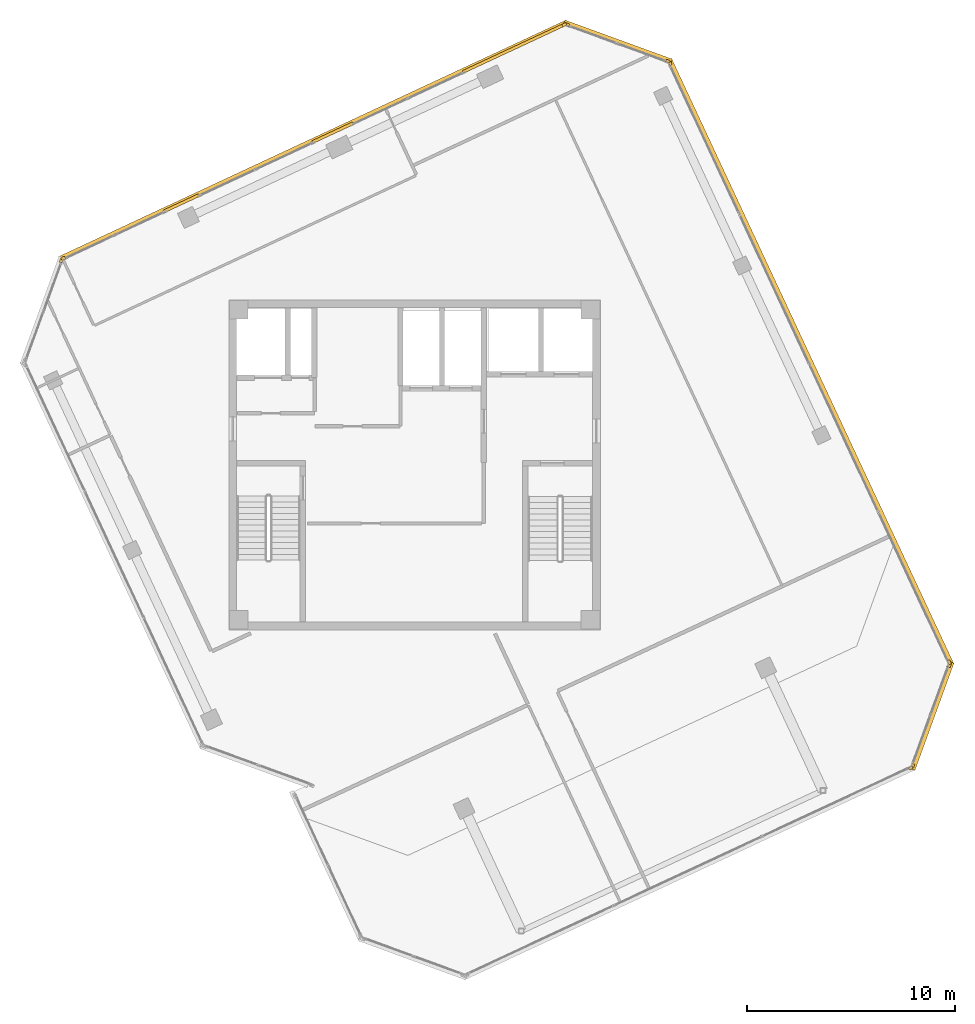
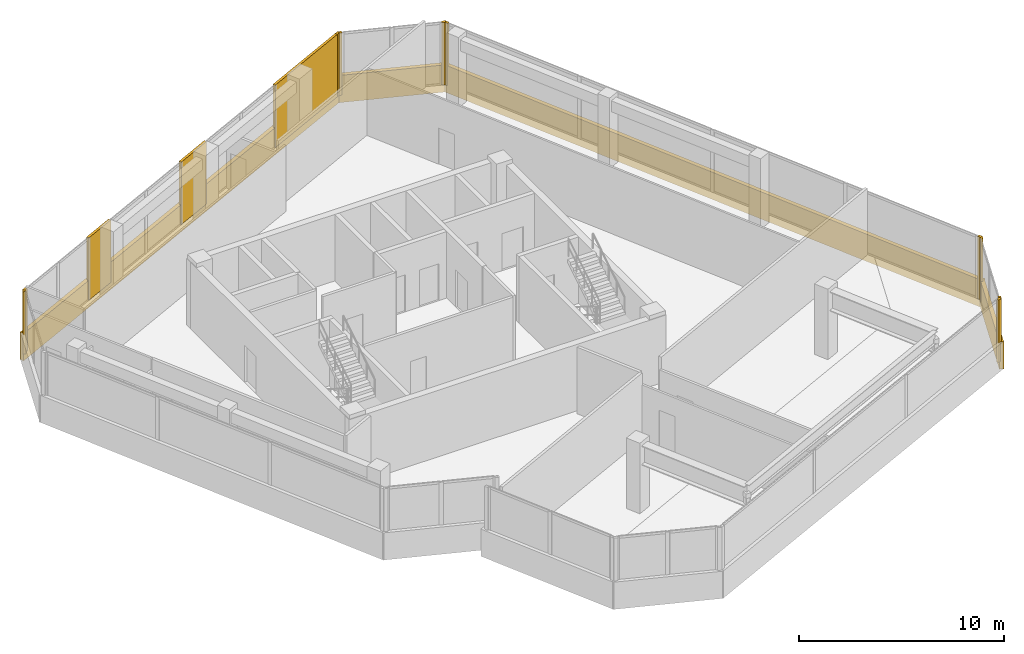
# One storey, part 17 of 17: 17 coverings.
"""IFC4 building model written with IfcOpenShell, lengths in metres."""

from ifc_helpers import new_model, si_unit, direction, frame, origin, origin_2d, place, context, subcontext, project, spatial, rectangle, extrude, source, transform, mapped, material, layer, layer_set, type_object, element, save


model = new_model("IFC4")

# Units and contexts
model_context = context("Model", 3, precision=1e-05, world=origin(), true_north=direction((0.0, 1.0)))
body_context = subcontext(model_context, "Body", "Model", "MODEL_VIEW")
ifc_project = project(units=[si_unit("LENGTHUNIT", "METRE"), si_unit("AREAUNIT", "SQUARE_METRE"), si_unit("VOLUMEUNIT", "CUBIC_METRE"), si_unit("PLANEANGLEUNIT", "RADIAN"), si_unit("MASSUNIT", "GRAM", prefix="KILO")], contexts=[model_context])

# Site, building, storey
site_placement = place(None, origin())
site = spatial("IfcSite", under=ifc_project, at=site_placement, CompositionType="ELEMENT")
building_placement = place(site_placement, origin())
building = spatial("IfcBuilding", under=site, at=building_placement, Name="Torre Montelarca", CompositionType="ELEMENT")
storey_placement = place(building_placement, frame((0.0, 0.0, 340.800048828125)))
storey = spatial("IfcBuildingStorey", under=building, at=storey_placement, Name="L77", CompositionType="ELEMENT", Elevation=340.800048828125)

# Coverings
ifc_material = material(Name="Bush-hammered warm white precast concrete C45/55", Category="concrete")
ifc_layer = layer(ifc_material, 0.139892578125, Name="Bush-hammered warm white precast concrete C45/55", Category="concrete")
ifc_layer_set = layer_set([ifc_layer], Name="Bush-hammered warm white precast concrete C45/55")
covering_type = type_object("IfcCoveringType", Name="COV-TRAY-CLAD", PredefinedType="CLADDING", material=ifc_layer_set)
shared_shape_1 = source(origin(), body_context, "Body", "SweptSolid", [
    extrude(rectangle(XDim=0.199951171875, YDim=0.139892578125, at=origin_2d()), origin(), (0.0, 0.0, 1.0), 3.719970703125),
])
for number, where, z_axis, x_axis, name in (
    (1, (41.8505859375, 17.4248046875, 0.0), (0.0, 0.0, 1.0), (0.906309262247, 0.422615098127, 0.0), "L77 Architectural Column Pier Cladding E06-2"),
    (2, (41.94873046875, 17.531982421875, 0.0), (0.0, 0.0, 1.0), (0.342010302869, 0.939696202361, 0.0), "L77 Architectural Column Pier Cladding E07-1"),
    (3, (43.70751953125, 22.364013671875, 0.0), (0.0, 0.0, 1.0), (0.342010302869, 0.939696202361, 0.0), "L77 Architectural Column Pier Cladding E07-2"),
    (4, (43.700927734375, 22.50927734375, 0.0), (0.0, 0.0, 1.0), (-0.422616679935, 0.906308524643, 0.0), "L77 Architectural Column Pier Cladding E08-1"),
    (5, (30.275146484375, 51.301025390625, 0.0), (0.0, 0.0, 1.0), (-0.422616679935, 0.906308524643, 0.0), "L77 Architectural Column Pier Cladding E08-2"),
    (6, (30.168212890625, 51.399169921875, 0.0), (0.0, 0.0, 1.0), (-0.939696202361, 0.342010302869, 0.0), "L77 Architectural Column Pier Cladding E09-1"),
    (7, (25.3359375, 53.157958984375, 0.0), (0.0, 0.0, 1.0), (-0.939696202361, 0.342010302869, 0.0), "L77 Architectural Column Pier Cladding E09-2"),
    (8, (25.19091796875, 53.151611328125, 0.0), (0.0, 0.0, 1.0), (-0.906307787037, -0.422618261741, 0.0), "L77 Architectural Column Pier Cladding E10-1"),
    (9, (1.11181640625, 41.92333984375, 0.0), (0.0, 0.0, 1.0), (-0.906307787037, -0.422618261741, 0.0), "L77 Architectural Column Pier Cladding E10-5"),
    (10, (1.013671875, 41.816162109375, 0.0), (0.0, 0.0, 1.0), (-0.342010302869, -0.939696202361, 0.0), "L77 Architectural Column Pier Cladding E11-1"),
):
    element("IfcCovering", number, at=place(storey_placement, frame(where, z_axis=z_axis, x_axis=x_axis)), inside=storey, type_object=covering_type, Name=name, PredefinedType="CLADDING", context=body_context, shape_type="MappedRepresentation", body=[
        mapped(shared_shape_1, transform((0.0, 0.0, 0.0), scale=1.0)),
    ])
shared_shape_2 = source(origin(), body_context, "Body", "SweptSolid", [
    extrude(rectangle(XDim=2.159912109375, YDim=0.139892578125, at=origin_2d()), origin(), (0.0, 0.0, 1.0), 3.719970703125),
])
covering_1_placement = place(storey_placement, frame((14.0576171875, 47.960205078125, 0.0), z_axis=(0.0, 0.0, 1.0), x_axis=(-0.906307787037, -0.422618261741, 0.0)))
element("IfcCovering", 11, at=covering_1_placement, inside=storey, type_object=covering_type, Name="L77 Architectural Column Pier Cladding E10-3", PredefinedType="CLADDING", context=body_context, shape_type="MappedRepresentation", body=[
    mapped(shared_shape_2, transform((0.0, 0.0, 0.0), scale=1.0)),
])
shared_shape_3 = source(origin(), body_context, "Body", "SweptSolid", [
    extrude(rectangle(XDim=5.493896484375, YDim=0.219970703125, at=origin_2d()), origin(), (0.0, 0.0, 1.0), 1.6201171875),
])
for number, where, z_axis, x_axis, name in (
    (12, (42.884521484375, 19.927490234375, -0.4501953125), (0.0, 0.0, 1.0), (0.342018503252, 0.939693217722, 0.0), "L77 Architectural White Spandrel Tray Band TRYBOT-07"),
    (13, (27.772705078125, 52.3349609375, -0.4501953125), (0.0, 0.0, 1.0), (-0.939693217722, 0.342018503252, 0.0), "L77 Architectural White Spandrel Tray Band TRYBOT-09"),
):
    element("IfcCovering", number, at=place(storey_placement, frame(where, z_axis=z_axis, x_axis=x_axis)), inside=storey, type_object=covering_type, Name=name, PredefinedType="CLADDING", context=body_context, shape_type="MappedRepresentation", body=[
        mapped(shared_shape_3, transform((0.0, 0.0, 0.0), scale=1.0)),
    ])
shared_shape_4 = source(origin(), body_context, "Body", "SweptSolid", [
    extrude(rectangle(XDim=26.920166015625, YDim=0.219970703125, at=origin_2d()), origin(), (0.0, 0.0, 1.0), 1.6201171875),
])
covering_2_placement = place(storey_placement, frame((13.1259765625, 47.591796875, -0.4501953125), z_axis=(0.0, 0.0, 1.0), x_axis=(-0.906307787037, -0.422618261741, 0.0)))
element("IfcCovering", 14, at=covering_2_placement, inside=storey, type_object=covering_type, Name="L77 Architectural White Spandrel Tray Band TRYBOT-10", PredefinedType="CLADDING", context=body_context, shape_type="MappedRepresentation", body=[
    mapped(shared_shape_4, transform((0.0, 0.0, 0.0), scale=1.0)),
])
shared_shape_5 = source(origin(), body_context, "Body", "SweptSolid", [
    extrude(rectangle(XDim=5.364013671875, YDim=0.139892578125, at=origin_2d()), origin(), (0.0, 0.0, 1.0), 3.719970703125),
])
covering_3_placement = place(storey_placement, frame((22.760009765625, 52.01806640625, 0.0), z_axis=(0.0, 0.0, 1.0), x_axis=(-0.906307787037, -0.422618261741, 0.0)))
element("IfcCovering", 15, at=covering_3_placement, inside=storey, type_object=covering_type, Name="L77 Architectural Column Pier Cladding E10-2", PredefinedType="CLADDING", context=body_context, shape_type="MappedRepresentation", body=[
    mapped(shared_shape_5, transform((0.0, 0.0, 0.0), scale=1.0)),
])
shared_shape_6 = source(origin(), body_context, "Body", "SweptSolid", [
    extrude(rectangle(XDim=1.860107421875, YDim=0.139892578125, at=origin_2d()), origin(), (0.0, 0.0, 1.0), 3.719970703125),
])
covering_4_placement = place(storey_placement, frame((6.80712890625, 44.5791015625, 0.0), z_axis=(0.0, 0.0, 1.0), x_axis=(-0.906307787037, -0.422618261741, 0.0)))
element("IfcCovering", 16, at=covering_4_placement, inside=storey, type_object=covering_type, Name="L77 Architectural Column Pier Cladding E10-4", PredefinedType="CLADDING", context=body_context, shape_type="MappedRepresentation", body=[
    mapped(shared_shape_6, transform((0.0, 0.0, 0.0), scale=1.0)),
])
shared_shape_7 = source(origin(), body_context, "Body", "SweptSolid", [
    extrude(rectangle(XDim=32.1201171875, YDim=0.219970703125, at=origin_2d()), origin(), (0.0, 0.0, 1.0), 1.6201171875),
])
covering_5_placement = place(storey_placement, frame((37.04248046875, 36.930419921875, -0.4501953125), z_axis=(0.0, 0.0, 1.0), x_axis=(-0.422618261741, 0.906307787037, 0.0)))
element("IfcCovering", 17, at=covering_5_placement, inside=storey, type_object=covering_type, Name="L77 Architectural White Spandrel Tray Band TRYBOT-08", PredefinedType="CLADDING", context=body_context, shape_type="MappedRepresentation", body=[
    mapped(shared_shape_7, transform((0.0, 0.0, 0.0), scale=1.0)),
])

save(model, "model.ifc")
